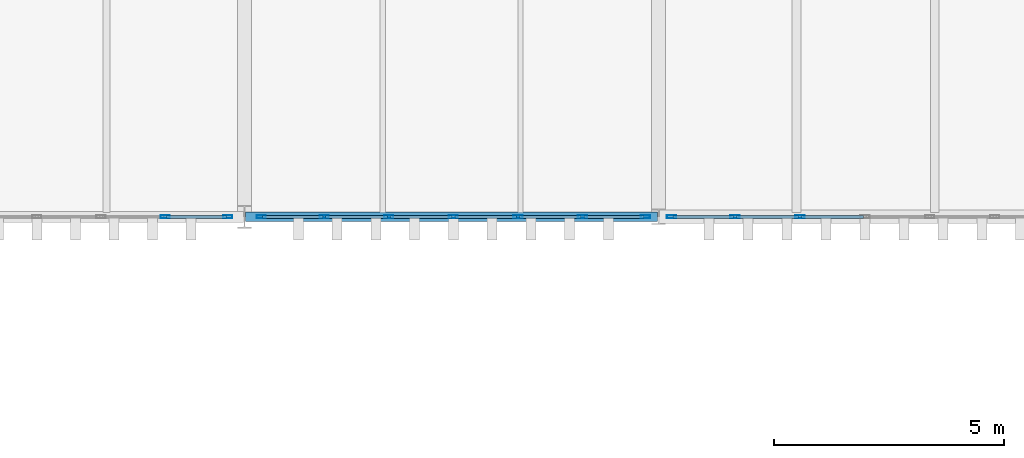
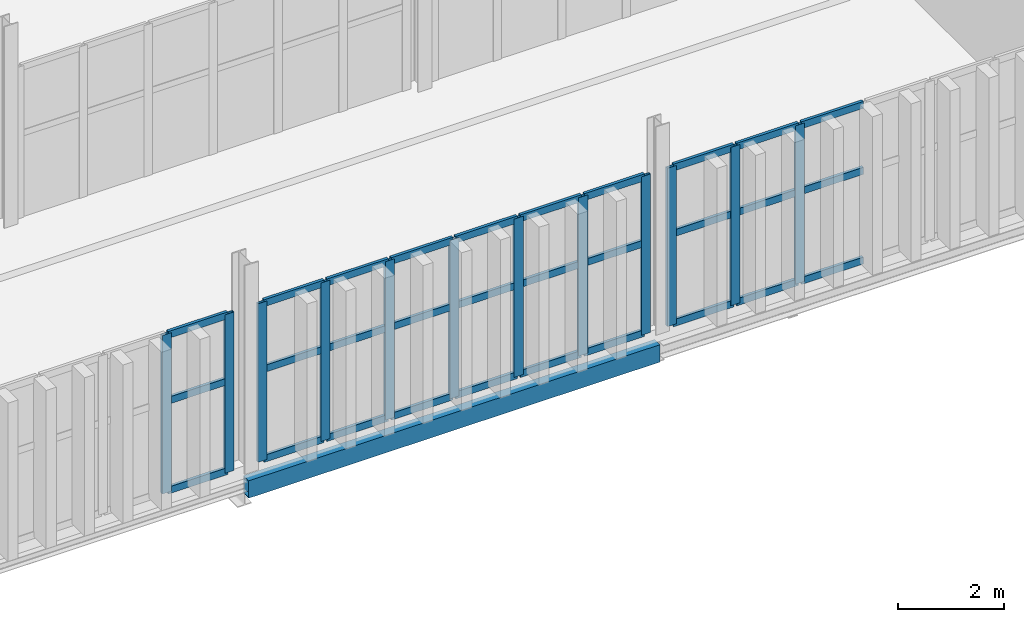
# One storey, part 37 of 196: 42 members, 1 beam, 3 elements without a shape of their own.
"""IFC4 building model written with IfcOpenShell, lengths in metres."""

from ifc_helpers import new_model, si_unit, direction, frame, origin, origin_2d, place, context, subcontext, project, spatial, hollow_rectangle, extrude, material, layer, layer_set, material_profile, profile_set, type_object, element, aggregate, save


model = new_model("IFC4")

# Units and contexts
model_context = context("Model", 3, precision=1e-05, world=origin(), true_north=direction((0.0, 1.0)))
body_context = subcontext(model_context, "Body", "Model", "MODEL_VIEW")
ifc_project = project(units=[si_unit("LENGTHUNIT", "METRE"), si_unit("AREAUNIT", "SQUARE_METRE"), si_unit("VOLUMEUNIT", "CUBIC_METRE"), si_unit("PLANEANGLEUNIT", "RADIAN"), si_unit("MASSUNIT", "GRAM", prefix="KILO")], contexts=[model_context])

# Site, building, storey
site_placement = place(None, origin())
site = spatial("IfcSite", under=ifc_project, at=site_placement, CompositionType="ELEMENT")
building_placement = place(site_placement, origin())
building = spatial("IfcBuilding", under=site, at=building_placement, Name="Barlavento Convention Centre", CompositionType="ELEMENT")
storey_placement = place(building_placement, frame((0.0, 0.0, 18.0)))
storey = spatial("IfcBuildingStorey", under=building, at=storey_placement, Name="L03", CompositionType="ELEMENT", Elevation=18.0)

# Curtain wall, members
ifc_material_1 = material(Name="Powder-coated aluminium and Low-E glass", Category="aluminium")
ifc_layer = layer(ifc_material_1, 0.179931640625)
ifc_layer_set = layer_set([ifc_layer], Name="ARC-CW-CONF-L03")
curtain_wall_type = type_object("IfcCurtainWallType", Name="ARC-CW-CONF-L03", PredefinedType="NOTDEFINED", material=ifc_layer_set)
curtain_wall_1_placement = place(storey_placement, origin())
curtain_wall_1 = element("IfcCurtainWall", 1, at=curtain_wall_1_placement, inside=storey, type_object=curtain_wall_type, Name="L03 unitised curtain wall CW08", PredefinedType="NOTDEFINED")
ifc_material_2 = material(Name="Powder-coated aluminium", Category="aluminium")
ifc_material_profile_1 = material_profile(ifc_material_2, hollow_rectangle(XDim=0.06494140625, YDim=0.199951171875, WallThickness=0.0048828125, at=origin_2d()), Name="AL-MULL 65x200x5")
ifc_profile_set_1 = profile_set([ifc_material_profile_1], Name="Powder-coated aluminium")
member_type_1 = type_object("IfcMemberType", Name="ARC-CWM-65X200", PredefinedType="MULLION", material=ifc_profile_set_1)
member_1_placement = place(storey_placement, frame((97.27587890625, 45.0, 0.0), z_axis=(0.0, 0.0, 1.0), x_axis=(0.0, 1.0, 0.0)))
member_1 = element("IfcMember", 2, at=member_1_placement, type_object=member_type_1, Name="CW08 mullion 6", PredefinedType="MULLION", context=body_context, shape_type="SweptSolid", body=[
    extrude(hollow_rectangle(XDim=0.06494140625, YDim=0.199951171875, WallThickness=0.0048828125, at=origin_2d()), origin(), (0.0, 0.0, 1.0), 3.64990234375),
])
member_2_placement = place(storey_placement, frame((98.637451171875, 45.0, 0.0), z_axis=(0.0, 0.0, 1.0), x_axis=(0.0, 1.0, 0.0)))
member_2 = element("IfcMember", 3, at=member_2_placement, type_object=member_type_1, Name="CW08 mullion 7", PredefinedType="MULLION", context=body_context, shape_type="SweptSolid", body=[
    extrude(hollow_rectangle(XDim=0.06494140625, YDim=0.199951171875, WallThickness=0.0048828125, at=origin_2d()), origin(), (0.0, 0.0, 1.0), 3.64990234375),
])

curtain_wall_2_placement = place(storey_placement, origin())
curtain_wall_2 = element("IfcCurtainWall", 4, at=curtain_wall_2_placement, inside=storey, type_object=curtain_wall_type, Name="L03 unitised curtain wall CW08", PredefinedType="NOTDEFINED")
member_3_placement = place(storey_placement, frame((99.362548828125, 45.0, 0.0), z_axis=(0.0, 0.0, 1.0), x_axis=(0.0, 1.0, 0.0)))
member_3 = element("IfcMember", 5, at=member_3_placement, type_object=member_type_1, Name="CW08 mullion 1", PredefinedType="MULLION", context=body_context, shape_type="SweptSolid", body=[
    extrude(hollow_rectangle(XDim=0.06494140625, YDim=0.199951171875, WallThickness=0.0048828125, at=origin_2d()), origin(), (0.0, 0.0, 1.0), 3.64990234375),
])
member_4_placement = place(storey_placement, frame((100.7333984375, 45.0, 0.0), z_axis=(0.0, 0.0, 1.0), x_axis=(0.0, 1.0, 0.0)))
member_4 = element("IfcMember", 6, at=member_4_placement, type_object=member_type_1, Name="CW08 mullion 2", PredefinedType="MULLION", context=body_context, shape_type="SweptSolid", body=[
    extrude(hollow_rectangle(XDim=0.06494140625, YDim=0.199951171875, WallThickness=0.0048828125, at=origin_2d()), origin(), (0.0, 0.0, 1.0), 3.64990234375),
])
member_5_placement = place(storey_placement, frame((102.13671875, 45.0, 0.0), z_axis=(0.0, 0.0, 1.0), x_axis=(0.0, 1.0, 0.0)))
member_5 = element("IfcMember", 7, at=member_5_placement, type_object=member_type_1, Name="CW08 mullion 3", PredefinedType="MULLION", context=body_context, shape_type="SweptSolid", body=[
    extrude(hollow_rectangle(XDim=0.06494140625, YDim=0.199951171875, WallThickness=0.0048828125, at=origin_2d()), origin(), (0.0, 0.0, 1.0), 3.64990234375),
])
member_6_placement = place(storey_placement, frame((103.5400390625, 45.0, 0.0), z_axis=(0.0, 0.0, 1.0), x_axis=(0.0, 1.0, 0.0)))
member_6 = element("IfcMember", 8, at=member_6_placement, type_object=member_type_1, Name="CW08 mullion 4", PredefinedType="MULLION", context=body_context, shape_type="SweptSolid", body=[
    extrude(hollow_rectangle(XDim=0.06494140625, YDim=0.199951171875, WallThickness=0.0048828125, at=origin_2d()), origin(), (0.0, 0.0, 1.0), 3.64990234375),
])
member_7_placement = place(storey_placement, frame((104.943359375, 45.0, 0.0), z_axis=(0.0, 0.0, 1.0), x_axis=(0.0, 1.0, 0.0)))
member_7 = element("IfcMember", 9, at=member_7_placement, type_object=member_type_1, Name="CW08 mullion 5", PredefinedType="MULLION", context=body_context, shape_type="SweptSolid", body=[
    extrude(hollow_rectangle(XDim=0.06494140625, YDim=0.199951171875, WallThickness=0.0048828125, at=origin_2d()), origin(), (0.0, 0.0, 1.0), 3.64990234375),
])
member_8_placement = place(storey_placement, frame((106.3466796875, 45.0, 0.0), z_axis=(0.0, 0.0, 1.0), x_axis=(0.0, 1.0, 0.0)))
member_8 = element("IfcMember", 10, at=member_8_placement, type_object=member_type_1, Name="CW08 mullion 6", PredefinedType="MULLION", context=body_context, shape_type="SweptSolid", body=[
    extrude(hollow_rectangle(XDim=0.06494140625, YDim=0.199951171875, WallThickness=0.0048828125, at=origin_2d()), origin(), (0.0, 0.0, 1.0), 3.64990234375),
])
member_9_placement = place(storey_placement, frame((107.717529296875, 45.0, 0.0), z_axis=(0.0, 0.0, 1.0), x_axis=(0.0, 1.0, 0.0)))
member_9 = element("IfcMember", 11, at=member_9_placement, type_object=member_type_1, Name="CW08 mullion 7", PredefinedType="MULLION", context=body_context, shape_type="SweptSolid", body=[
    extrude(hollow_rectangle(XDim=0.06494140625, YDim=0.199951171875, WallThickness=0.0048828125, at=origin_2d()), origin(), (0.0, 0.0, 1.0), 3.64990234375),
])

curtain_wall_3_placement = place(storey_placement, origin())
curtain_wall_3 = element("IfcCurtainWall", 12, at=curtain_wall_3_placement, inside=storey, type_object=curtain_wall_type, Name="L03 unitised curtain wall CW08", PredefinedType="NOTDEFINED")
member_10_placement = place(storey_placement, frame((108.282470703125, 45.0, 0.0), z_axis=(0.0, 0.0, 1.0), x_axis=(0.0, 1.0, 0.0)))
member_10 = element("IfcMember", 13, at=member_10_placement, type_object=member_type_1, Name="CW08 mullion 1", PredefinedType="MULLION", context=body_context, shape_type="SweptSolid", body=[
    extrude(hollow_rectangle(XDim=0.06494140625, YDim=0.199951171875, WallThickness=0.0048828125, at=origin_2d()), origin(), (0.0, 0.0, 1.0), 3.64990234375),
])
member_11_placement = place(storey_placement, frame((109.66162109375, 45.0, 0.0), z_axis=(0.0, 0.0, 1.0), x_axis=(0.0, 1.0, 0.0)))
member_11 = element("IfcMember", 14, at=member_11_placement, type_object=member_type_1, Name="CW08 mullion 2", PredefinedType="MULLION", context=body_context, shape_type="SweptSolid", body=[
    extrude(hollow_rectangle(XDim=0.06494140625, YDim=0.199951171875, WallThickness=0.0048828125, at=origin_2d()), origin(), (0.0, 0.0, 1.0), 3.64990234375),
])
member_12_placement = place(storey_placement, frame((111.0732421875, 45.0, 0.0), z_axis=(0.0, 0.0, 1.0), x_axis=(0.0, 1.0, 0.0)))
member_12 = element("IfcMember", 15, at=member_12_placement, type_object=member_type_1, Name="CW08 mullion 3", PredefinedType="MULLION", context=body_context, shape_type="SweptSolid", body=[
    extrude(hollow_rectangle(XDim=0.06494140625, YDim=0.199951171875, WallThickness=0.0048828125, at=origin_2d()), origin(), (0.0, 0.0, 1.0), 3.64990234375),
])

# Member
ifc_material_profile_2 = material_profile(ifc_material_2, hollow_rectangle(XDim=0.06494140625, YDim=0.159912109375, WallThickness=0.0048828125, at=origin_2d()), Name="AL-TRAN 65x160x5")
ifc_profile_set_2 = profile_set([ifc_material_profile_2], Name="Powder-coated aluminium")
member_type_2 = type_object("IfcMemberType", Name="ARC-CWT-65X160", PredefinedType="USERDEFINED", material=ifc_profile_set_2)
member_13_placement = place(storey_placement, frame((97.308349609375, 45.0, 0.032470703125), z_axis=(1.0, 0.0, 0.0), x_axis=(0.0, 1.0, 0.0)))
member_13 = element("IfcMember", 16, at=member_13_placement, type_object=member_type_2, Name="CW08 transom 6.1", ObjectType="TRANSOM", PredefinedType="USERDEFINED", context=body_context, shape_type="SweptSolid", body=[
    extrude(hollow_rectangle(XDim=0.06494140625, YDim=0.159912109375, WallThickness=0.0048828125, at=origin_2d()), origin(), (0.0, 0.0, 1.0), 1.296630859375),
])

member_14_placement = place(storey_placement, frame((97.308349609375, 45.0, 2.10009765625), z_axis=(1.0, 0.0, 0.0), x_axis=(0.0, 1.0, 0.0)))
member_14 = element("IfcMember", 17, at=member_14_placement, type_object=member_type_2, Name="CW08 transom 6.2", ObjectType="TRANSOM", PredefinedType="USERDEFINED", context=body_context, shape_type="SweptSolid", body=[
    extrude(hollow_rectangle(XDim=0.06494140625, YDim=0.159912109375, WallThickness=0.0048828125, at=origin_2d()), origin(), (0.0, 0.0, 1.0), 1.296630859375),
])

member_15_placement = place(storey_placement, frame((97.308349609375, 45.0, 3.617431640625), z_axis=(1.0, 0.0, 0.0), x_axis=(0.0, 1.0, 0.0)))
member_15 = element("IfcMember", 18, at=member_15_placement, type_object=member_type_2, Name="CW08 transom 6.3", ObjectType="TRANSOM", PredefinedType="USERDEFINED", context=body_context, shape_type="SweptSolid", body=[
    extrude(hollow_rectangle(XDim=0.06494140625, YDim=0.159912109375, WallThickness=0.0048828125, at=origin_2d()), origin(), (0.0, 0.0, 1.0), 1.296630859375),
])

aggregate(curtain_wall_1, [member_1, member_2, member_13, member_14, member_15])

member_16_placement = place(storey_placement, frame((99.39501953125, 45.0, 0.032470703125), z_axis=(1.0, 0.0, 0.0), x_axis=(0.0, 1.0, 0.0)))
member_16 = element("IfcMember", 19, at=member_16_placement, type_object=member_type_2, Name="CW08 transom 1.1", ObjectType="TRANSOM", PredefinedType="USERDEFINED", context=body_context, shape_type="SweptSolid", body=[
    extrude(hollow_rectangle(XDim=0.06494140625, YDim=0.159912109375, WallThickness=0.0048828125, at=origin_2d()), origin(), (0.0, 0.0, 1.0), 1.305908203125),
])

member_17_placement = place(storey_placement, frame((99.39501953125, 45.0, 2.10009765625), z_axis=(1.0, 0.0, 0.0), x_axis=(0.0, 1.0, 0.0)))
member_17 = element("IfcMember", 20, at=member_17_placement, type_object=member_type_2, Name="CW08 transom 1.2", ObjectType="TRANSOM", PredefinedType="USERDEFINED", context=body_context, shape_type="SweptSolid", body=[
    extrude(hollow_rectangle(XDim=0.06494140625, YDim=0.159912109375, WallThickness=0.0048828125, at=origin_2d()), origin(), (0.0, 0.0, 1.0), 1.305908203125),
])

member_18_placement = place(storey_placement, frame((99.39501953125, 45.0, 3.617431640625), z_axis=(1.0, 0.0, 0.0), x_axis=(0.0, 1.0, 0.0)))
member_18 = element("IfcMember", 21, at=member_18_placement, type_object=member_type_2, Name="CW08 transom 1.3", ObjectType="TRANSOM", PredefinedType="USERDEFINED", context=body_context, shape_type="SweptSolid", body=[
    extrude(hollow_rectangle(XDim=0.06494140625, YDim=0.159912109375, WallThickness=0.0048828125, at=origin_2d()), origin(), (0.0, 0.0, 1.0), 1.305908203125),
])

member_19_placement = place(storey_placement, frame((100.765869140625, 45.0, 0.032470703125), z_axis=(1.0, 0.0, 0.0), x_axis=(0.0, 1.0, 0.0)))
member_19 = element("IfcMember", 22, at=member_19_placement, type_object=member_type_2, Name="CW08 transom 2.1", ObjectType="TRANSOM", PredefinedType="USERDEFINED", context=body_context, shape_type="SweptSolid", body=[
    extrude(hollow_rectangle(XDim=0.06494140625, YDim=0.159912109375, WallThickness=0.0048828125, at=origin_2d()), origin(), (0.0, 0.0, 1.0), 1.33837890625),
])

member_20_placement = place(storey_placement, frame((100.765869140625, 45.0, 2.10009765625), z_axis=(1.0, 0.0, 0.0), x_axis=(0.0, 1.0, 0.0)))
member_20 = element("IfcMember", 23, at=member_20_placement, type_object=member_type_2, Name="CW08 transom 2.2", ObjectType="TRANSOM", PredefinedType="USERDEFINED", context=body_context, shape_type="SweptSolid", body=[
    extrude(hollow_rectangle(XDim=0.06494140625, YDim=0.159912109375, WallThickness=0.0048828125, at=origin_2d()), origin(), (0.0, 0.0, 1.0), 1.33837890625),
])

member_21_placement = place(storey_placement, frame((100.765869140625, 45.0, 3.617431640625), z_axis=(1.0, 0.0, 0.0), x_axis=(0.0, 1.0, 0.0)))
member_21 = element("IfcMember", 24, at=member_21_placement, type_object=member_type_2, Name="CW08 transom 2.3", ObjectType="TRANSOM", PredefinedType="USERDEFINED", context=body_context, shape_type="SweptSolid", body=[
    extrude(hollow_rectangle(XDim=0.06494140625, YDim=0.159912109375, WallThickness=0.0048828125, at=origin_2d()), origin(), (0.0, 0.0, 1.0), 1.33837890625),
])

member_22_placement = place(storey_placement, frame((102.169189453125, 45.0, 0.032470703125), z_axis=(1.0, 0.0, 0.0), x_axis=(0.0, 1.0, 0.0)))
member_22 = element("IfcMember", 25, at=member_22_placement, type_object=member_type_2, Name="CW08 transom 3.1", ObjectType="TRANSOM", PredefinedType="USERDEFINED", context=body_context, shape_type="SweptSolid", body=[
    extrude(hollow_rectangle(XDim=0.06494140625, YDim=0.159912109375, WallThickness=0.0048828125, at=origin_2d()), origin(), (0.0, 0.0, 1.0), 1.33837890625),
])

member_23_placement = place(storey_placement, frame((102.169189453125, 45.0, 2.10009765625), z_axis=(1.0, 0.0, 0.0), x_axis=(0.0, 1.0, 0.0)))
member_23 = element("IfcMember", 26, at=member_23_placement, type_object=member_type_2, Name="CW08 transom 3.2", ObjectType="TRANSOM", PredefinedType="USERDEFINED", context=body_context, shape_type="SweptSolid", body=[
    extrude(hollow_rectangle(XDim=0.06494140625, YDim=0.159912109375, WallThickness=0.0048828125, at=origin_2d()), origin(), (0.0, 0.0, 1.0), 1.33837890625),
])

member_24_placement = place(storey_placement, frame((102.169189453125, 45.0, 3.617431640625), z_axis=(1.0, 0.0, 0.0), x_axis=(0.0, 1.0, 0.0)))
member_24 = element("IfcMember", 27, at=member_24_placement, type_object=member_type_2, Name="CW08 transom 3.3", ObjectType="TRANSOM", PredefinedType="USERDEFINED", context=body_context, shape_type="SweptSolid", body=[
    extrude(hollow_rectangle(XDim=0.06494140625, YDim=0.159912109375, WallThickness=0.0048828125, at=origin_2d()), origin(), (0.0, 0.0, 1.0), 1.33837890625),
])

member_25_placement = place(storey_placement, frame((103.572509765625, 45.0, 0.032470703125), z_axis=(1.0, 0.0, 0.0), x_axis=(0.0, 1.0, 0.0)))
member_25 = element("IfcMember", 28, at=member_25_placement, type_object=member_type_2, Name="CW08 transom 4.1", ObjectType="TRANSOM", PredefinedType="USERDEFINED", context=body_context, shape_type="SweptSolid", body=[
    extrude(hollow_rectangle(XDim=0.06494140625, YDim=0.159912109375, WallThickness=0.0048828125, at=origin_2d()), origin(), (0.0, 0.0, 1.0), 1.33837890625),
])

member_26_placement = place(storey_placement, frame((103.572509765625, 45.0, 2.10009765625), z_axis=(1.0, 0.0, 0.0), x_axis=(0.0, 1.0, 0.0)))
member_26 = element("IfcMember", 29, at=member_26_placement, type_object=member_type_2, Name="CW08 transom 4.2", ObjectType="TRANSOM", PredefinedType="USERDEFINED", context=body_context, shape_type="SweptSolid", body=[
    extrude(hollow_rectangle(XDim=0.06494140625, YDim=0.159912109375, WallThickness=0.0048828125, at=origin_2d()), origin(), (0.0, 0.0, 1.0), 1.33837890625),
])

member_27_placement = place(storey_placement, frame((103.572509765625, 45.0, 3.617431640625), z_axis=(1.0, 0.0, 0.0), x_axis=(0.0, 1.0, 0.0)))
member_27 = element("IfcMember", 30, at=member_27_placement, type_object=member_type_2, Name="CW08 transom 4.3", ObjectType="TRANSOM", PredefinedType="USERDEFINED", context=body_context, shape_type="SweptSolid", body=[
    extrude(hollow_rectangle(XDim=0.06494140625, YDim=0.159912109375, WallThickness=0.0048828125, at=origin_2d()), origin(), (0.0, 0.0, 1.0), 1.33837890625),
])

member_28_placement = place(storey_placement, frame((104.975830078125, 45.0, 0.032470703125), z_axis=(1.0, 0.0, 0.0), x_axis=(0.0, 1.0, 0.0)))
member_28 = element("IfcMember", 31, at=member_28_placement, type_object=member_type_2, Name="CW08 transom 5.1", ObjectType="TRANSOM", PredefinedType="USERDEFINED", context=body_context, shape_type="SweptSolid", body=[
    extrude(hollow_rectangle(XDim=0.06494140625, YDim=0.159912109375, WallThickness=0.0048828125, at=origin_2d()), origin(), (0.0, 0.0, 1.0), 1.33837890625),
])

member_29_placement = place(storey_placement, frame((104.975830078125, 45.0, 2.10009765625), z_axis=(1.0, 0.0, 0.0), x_axis=(0.0, 1.0, 0.0)))
member_29 = element("IfcMember", 32, at=member_29_placement, type_object=member_type_2, Name="CW08 transom 5.2", ObjectType="TRANSOM", PredefinedType="USERDEFINED", context=body_context, shape_type="SweptSolid", body=[
    extrude(hollow_rectangle(XDim=0.06494140625, YDim=0.159912109375, WallThickness=0.0048828125, at=origin_2d()), origin(), (0.0, 0.0, 1.0), 1.33837890625),
])

member_30_placement = place(storey_placement, frame((104.975830078125, 45.0, 3.617431640625), z_axis=(1.0, 0.0, 0.0), x_axis=(0.0, 1.0, 0.0)))
member_30 = element("IfcMember", 33, at=member_30_placement, type_object=member_type_2, Name="CW08 transom 5.3", ObjectType="TRANSOM", PredefinedType="USERDEFINED", context=body_context, shape_type="SweptSolid", body=[
    extrude(hollow_rectangle(XDim=0.06494140625, YDim=0.159912109375, WallThickness=0.0048828125, at=origin_2d()), origin(), (0.0, 0.0, 1.0), 1.33837890625),
])

member_31_placement = place(storey_placement, frame((106.379150390625, 45.0, 0.032470703125), z_axis=(1.0, 0.0, 0.0), x_axis=(0.0, 1.0, 0.0)))
member_31 = element("IfcMember", 34, at=member_31_placement, type_object=member_type_2, Name="CW08 transom 6.1", ObjectType="TRANSOM", PredefinedType="USERDEFINED", context=body_context, shape_type="SweptSolid", body=[
    extrude(hollow_rectangle(XDim=0.06494140625, YDim=0.159912109375, WallThickness=0.0048828125, at=origin_2d()), origin(), (0.0, 0.0, 1.0), 1.305908203125),
])

member_32_placement = place(storey_placement, frame((106.379150390625, 45.0, 2.10009765625), z_axis=(1.0, 0.0, 0.0), x_axis=(0.0, 1.0, 0.0)))
member_32 = element("IfcMember", 35, at=member_32_placement, type_object=member_type_2, Name="CW08 transom 6.2", ObjectType="TRANSOM", PredefinedType="USERDEFINED", context=body_context, shape_type="SweptSolid", body=[
    extrude(hollow_rectangle(XDim=0.06494140625, YDim=0.159912109375, WallThickness=0.0048828125, at=origin_2d()), origin(), (0.0, 0.0, 1.0), 1.305908203125),
])

member_33_placement = place(storey_placement, frame((106.379150390625, 45.0, 3.617431640625), z_axis=(1.0, 0.0, 0.0), x_axis=(0.0, 1.0, 0.0)))
member_33 = element("IfcMember", 36, at=member_33_placement, type_object=member_type_2, Name="CW08 transom 6.3", ObjectType="TRANSOM", PredefinedType="USERDEFINED", context=body_context, shape_type="SweptSolid", body=[
    extrude(hollow_rectangle(XDim=0.06494140625, YDim=0.159912109375, WallThickness=0.0048828125, at=origin_2d()), origin(), (0.0, 0.0, 1.0), 1.305908203125),
])

aggregate(curtain_wall_2, [member_3, member_4, member_5, member_6, member_7, member_8, member_9, member_16, member_17, member_18, member_19, member_20, member_21, member_22, member_23, member_24, member_25, member_26, member_27, member_28, member_29, member_30, member_31, member_32, member_33])

member_34_placement = place(storey_placement, frame((108.31494140625, 45.0, 0.032470703125), z_axis=(1.0, 0.0, 0.0), x_axis=(0.0, 1.0, 0.0)))
member_34 = element("IfcMember", 37, at=member_34_placement, type_object=member_type_2, Name="CW08 transom 1.1", ObjectType="TRANSOM", PredefinedType="USERDEFINED", context=body_context, shape_type="SweptSolid", body=[
    extrude(hollow_rectangle(XDim=0.06494140625, YDim=0.159912109375, WallThickness=0.0048828125, at=origin_2d()), origin(), (0.0, 0.0, 1.0), 1.314208984375),
])

member_35_placement = place(storey_placement, frame((108.31494140625, 45.0, 2.10009765625), z_axis=(1.0, 0.0, 0.0), x_axis=(0.0, 1.0, 0.0)))
member_35 = element("IfcMember", 38, at=member_35_placement, type_object=member_type_2, Name="CW08 transom 1.2", ObjectType="TRANSOM", PredefinedType="USERDEFINED", context=body_context, shape_type="SweptSolid", body=[
    extrude(hollow_rectangle(XDim=0.06494140625, YDim=0.159912109375, WallThickness=0.0048828125, at=origin_2d()), origin(), (0.0, 0.0, 1.0), 1.314208984375),
])

member_36_placement = place(storey_placement, frame((108.31494140625, 45.0, 3.617431640625), z_axis=(1.0, 0.0, 0.0), x_axis=(0.0, 1.0, 0.0)))
member_36 = element("IfcMember", 39, at=member_36_placement, type_object=member_type_2, Name="CW08 transom 1.3", ObjectType="TRANSOM", PredefinedType="USERDEFINED", context=body_context, shape_type="SweptSolid", body=[
    extrude(hollow_rectangle(XDim=0.06494140625, YDim=0.159912109375, WallThickness=0.0048828125, at=origin_2d()), origin(), (0.0, 0.0, 1.0), 1.314208984375),
])

member_37_placement = place(storey_placement, frame((109.694091796875, 45.0, 0.032470703125), z_axis=(1.0, 0.0, 0.0), x_axis=(0.0, 1.0, 0.0)))
member_37 = element("IfcMember", 40, at=member_37_placement, type_object=member_type_2, Name="CW08 transom 2.1", ObjectType="TRANSOM", PredefinedType="USERDEFINED", context=body_context, shape_type="SweptSolid", body=[
    extrude(hollow_rectangle(XDim=0.06494140625, YDim=0.159912109375, WallThickness=0.0048828125, at=origin_2d()), origin(), (0.0, 0.0, 1.0), 1.3466796875),
])

member_38_placement = place(storey_placement, frame((109.694091796875, 45.0, 2.10009765625), z_axis=(1.0, 0.0, 0.0), x_axis=(0.0, 1.0, 0.0)))
member_38 = element("IfcMember", 41, at=member_38_placement, type_object=member_type_2, Name="CW08 transom 2.2", ObjectType="TRANSOM", PredefinedType="USERDEFINED", context=body_context, shape_type="SweptSolid", body=[
    extrude(hollow_rectangle(XDim=0.06494140625, YDim=0.159912109375, WallThickness=0.0048828125, at=origin_2d()), origin(), (0.0, 0.0, 1.0), 1.3466796875),
])

member_39_placement = place(storey_placement, frame((109.694091796875, 45.0, 3.617431640625), z_axis=(1.0, 0.0, 0.0), x_axis=(0.0, 1.0, 0.0)))
member_39 = element("IfcMember", 42, at=member_39_placement, type_object=member_type_2, Name="CW08 transom 2.3", ObjectType="TRANSOM", PredefinedType="USERDEFINED", context=body_context, shape_type="SweptSolid", body=[
    extrude(hollow_rectangle(XDim=0.06494140625, YDim=0.159912109375, WallThickness=0.0048828125, at=origin_2d()), origin(), (0.0, 0.0, 1.0), 1.3466796875),
])

member_40_placement = place(storey_placement, frame((111.105712890625, 45.0, 0.032470703125), z_axis=(1.0, 0.0, 0.0), x_axis=(0.0, 1.0, 0.0)))
member_40 = element("IfcMember", 43, at=member_40_placement, type_object=member_type_2, Name="CW08 transom 3.1", ObjectType="TRANSOM", PredefinedType="USERDEFINED", context=body_context, shape_type="SweptSolid", body=[
    extrude(hollow_rectangle(XDim=0.06494140625, YDim=0.159912109375, WallThickness=0.0048828125, at=origin_2d()), origin(), (0.0, 0.0, 1.0), 1.3466796875),
])

member_41_placement = place(storey_placement, frame((111.105712890625, 45.0, 2.10009765625), z_axis=(1.0, 0.0, 0.0), x_axis=(0.0, 1.0, 0.0)))
member_41 = element("IfcMember", 44, at=member_41_placement, type_object=member_type_2, Name="CW08 transom 3.2", ObjectType="TRANSOM", PredefinedType="USERDEFINED", context=body_context, shape_type="SweptSolid", body=[
    extrude(hollow_rectangle(XDim=0.06494140625, YDim=0.159912109375, WallThickness=0.0048828125, at=origin_2d()), origin(), (0.0, 0.0, 1.0), 1.3466796875),
])

member_42_placement = place(storey_placement, frame((111.105712890625, 45.0, 3.617431640625), z_axis=(1.0, 0.0, 0.0), x_axis=(0.0, 1.0, 0.0)))
member_42 = element("IfcMember", 45, at=member_42_placement, type_object=member_type_2, Name="CW08 transom 3.3", ObjectType="TRANSOM", PredefinedType="USERDEFINED", context=body_context, shape_type="SweptSolid", body=[
    extrude(hollow_rectangle(XDim=0.06494140625, YDim=0.159912109375, WallThickness=0.0048828125, at=origin_2d()), origin(), (0.0, 0.0, 1.0), 1.3466796875),
])

aggregate(curtain_wall_3, [member_10, member_11, member_12, member_34, member_35, member_36, member_37, member_38, member_39, member_40, member_41, member_42])

# Beam
ifc_material_3 = material(Name="Steel S355", Category="steel")
ifc_material_profile_3 = material_profile(ifc_material_3, hollow_rectangle(XDim=0.199951171875, YDim=0.39990234375, WallThickness=0.01611328125, at=origin_2d()), Name="RHS 400x200x16.0")
ifc_profile_set_3 = profile_set([ifc_material_profile_3], Name="Steel S355")
beam_type = type_object("IfcBeamType", Name="STR-BM-SPN-RHS400", PredefinedType="SPANDREL", material=ifc_profile_set_3)
beam_placement = place(storey_placement, frame((99.02001953125, 45.0, -0.5), z_axis=(1.0, 0.0, 0.0), x_axis=(0.0, 1.0, 0.0)))
element("IfcBeam", 46, at=beam_placement, inside=storey, type_object=beam_type, Name="L03 primary girder SP06", PredefinedType="SPANDREL", context=body_context, shape_type="SweptSolid", body=[
    extrude(hollow_rectangle(XDim=0.199951171875, YDim=0.39990234375, WallThickness=0.01611328125, at=origin_2d()), origin(), (0.0, 0.0, 1.0), 8.9599609375),
])

save(model, "model.ifc")
